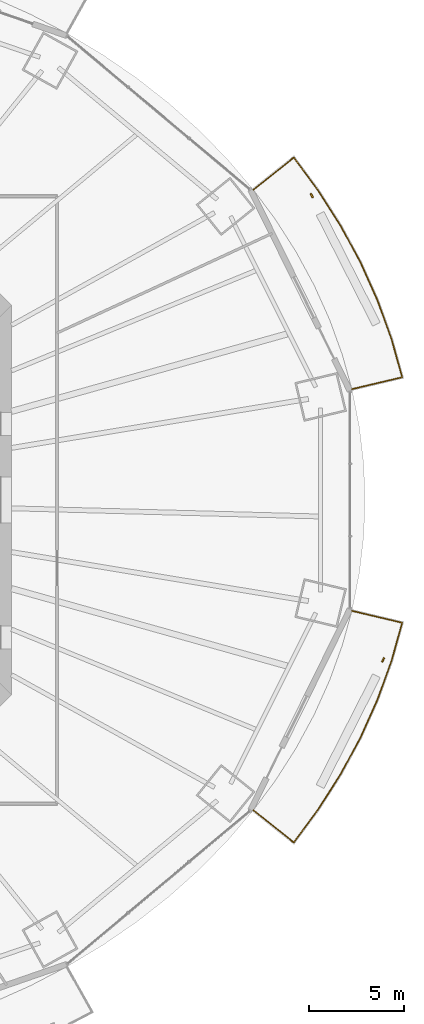
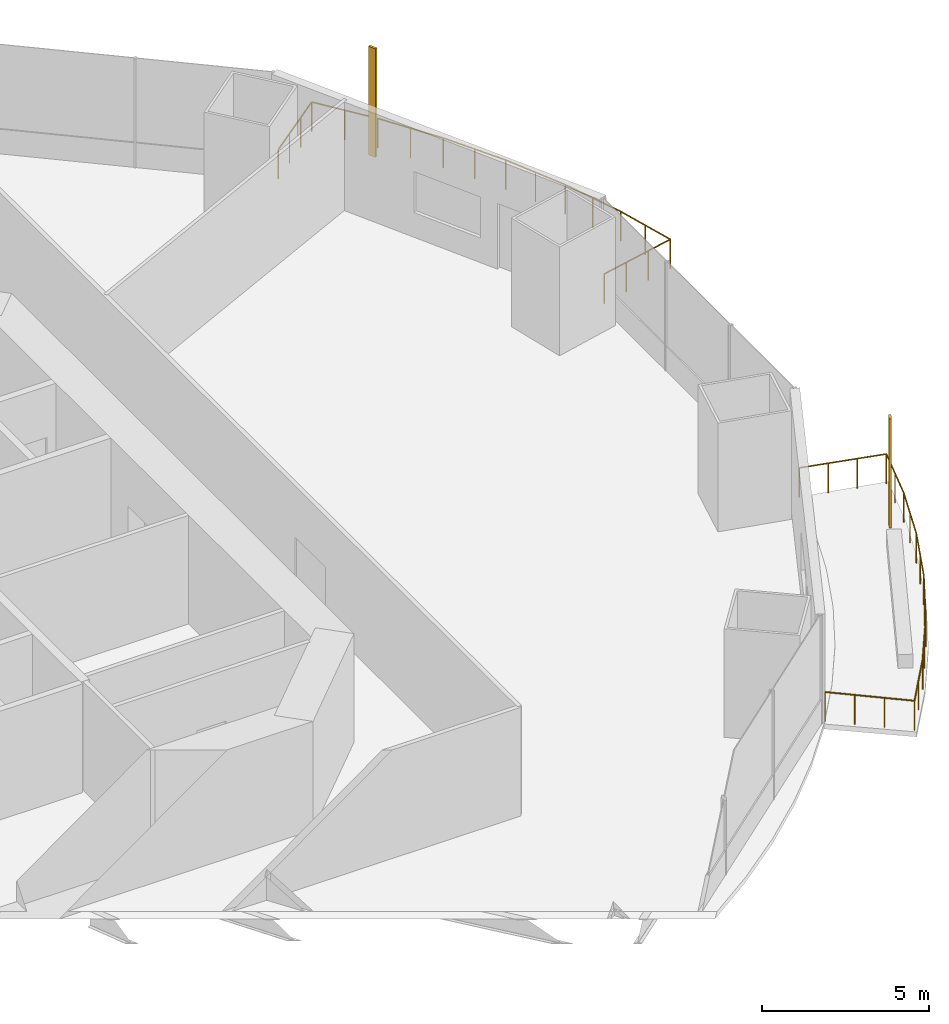
# One storey, part 21 of 22: 2 railings, 2 shading devices.
"""IFC4 building model written with IfcOpenShell, lengths in metres."""

from ifc_helpers import new_model, si_unit, direction, frame, origin, origin_2d, place, context, subcontext, project, spatial, rectangle, circle, extrude, material, material_profile, profile_set, type_object, element, save


model = new_model("IFC4")

# Units and contexts
model_context = context("Model", 3, precision=1e-05, world=origin(), true_north=direction((0.0, 1.0)))
body_context = subcontext(model_context, "Body", "Model", "MODEL_VIEW")
ifc_project = project(units=[si_unit("LENGTHUNIT", "METRE"), si_unit("AREAUNIT", "SQUARE_METRE"), si_unit("VOLUMEUNIT", "CUBIC_METRE"), si_unit("PLANEANGLEUNIT", "RADIAN"), si_unit("MASSUNIT", "GRAM", prefix="KILO")], contexts=[model_context])

# Site, building, storey
site_placement = place(None, origin())
site = spatial("IfcSite", under=ifc_project, at=site_placement, CompositionType="ELEMENT")
building_placement = place(site_placement, origin())
building = spatial("IfcBuilding", under=site, at=building_placement, Name="Marenthal Gate Tower", CompositionType="ELEMENT")
storey_placement = place(building_placement, frame((0.0, 0.0, 91.10009765625)))
storey = spatial("IfcBuildingStorey", under=building, at=storey_placement, Name="L18", CompositionType="ELEMENT", Elevation=91.10009765625)

# Railings
ifc_material_1 = material(Name="Stainless steel", Category="steel")
railing_type = type_object("IfcRailingType", Name="Balcony guard 1100", PredefinedType="GUARDRAIL", material=ifc_material_1)
railing_1_placement = place(storey_placement, frame((29.34326171875, 16.347900390625, 0.0)))
element("IfcRailing", 1, at=railing_1_placement, inside=storey, type_object=railing_type, Name="Balcony guard L18 bay 1", PredefinedType="GUARDRAIL", context=body_context, shape_type="SweptSolid", body=[
    extrude(circle(Radius=0.02392578125, at=origin_2d()), frame((0.0, 0.0, 1.076171875), z_axis=(0.782218085053, 0.62283082954, -0.014718192514), x_axis=(-0.622898300926, 0.782302822892, 0.0)), (0.0, 0.0, 1.0), 2.720458984375),
    extrude(circle(Radius=0.02392578125, at=origin_2d()), frame((2.1279296875, 1.6943359375, 1.0361328125), z_axis=(0.594617358606, -0.804008828835, 0.0), x_axis=(0.804008828835, 0.594617358606, 0.0)), (0.0, 0.0, 1.0), 2.153564453125),
    extrude(circle(Radius=0.02392578125, at=origin_2d()), frame((3.408447265625, -0.037109375, 1.0361328125), z_axis=(0.537495639062, -0.843266528442, 0.0), x_axis=(0.843266528442, 0.537495639062, 0.0)), (0.0, 0.0, 1.0), 2.215576171875),
    extrude(circle(Radius=0.02392578125, at=origin_2d()), frame((4.599365234375, -1.905517578125, 1.0361328125), z_axis=(0.475449699906, -0.879742907251, 0.0), x_axis=(0.879742907251, 0.475449699906, 0.0)), (0.0, 0.0, 1.0), 2.19921875),
    extrude(circle(Radius=0.02392578125, at=origin_2d()), frame((5.64501953125, -3.84033203125, 1.0361328125), z_axis=(0.409495490191, -0.912312141492, 0.0), x_axis=(0.912312141492, 0.409495490191, 0.0)), (0.0, 0.0, 1.0), 2.1845703125),
    extrude(circle(Radius=0.02392578125, at=origin_2d()), frame((6.53955078125, -5.833251953125, 1.0361328125), z_axis=(0.340172038454, -0.940363219322, 0.0), x_axis=(0.940363219322, 0.340172038454, 0.0)), (0.0, 0.0, 1.0), 2.171630859375),
    extrude(circle(Radius=0.02392578125, at=origin_2d()), frame((7.2783203125, -7.87548828125, 1.0361328125), z_axis=(0.269294922849, -0.963057757628, 0.0), x_axis=(0.963057757628, 0.269294922849, 0.0)), (0.0, 0.0, 1.0), 2.08154296875),
    extrude(circle(Radius=0.02392578125, at=origin_2d()), frame((7.8388671875, -9.880126953125, 1.0361328125), z_axis=(-0.972921871805, -0.230665056323, 0.014719482193), x_axis=(0.230690048693, -0.973027287096, 0.0)), (0.0, 0.0, 1.0), 2.72021484375),
    extrude(circle(Radius=0.02099609375, at=origin_2d()), origin(), (0.0, 0.0, 1.0), 1.052001953125),
    extrude(circle(Radius=0.02099609375, at=origin_2d()), frame((0.709228515625, 0.564697265625, -0.013427734375)), (0.0, 0.0, 1.0), 1.052001953125),
    extrude(circle(Radius=0.02099609375, at=origin_2d()), frame((1.418701171875, 1.129638671875, -0.026611328125)), (0.0, 0.0, 1.0), 1.052001953125),
    extrude(circle(Radius=0.02099609375, at=origin_2d()), frame((2.1279296875, 1.6943359375, -0.0400390625)), (0.0, 0.0, 1.0), 1.052001953125),
    extrude(circle(Radius=0.02099609375, at=origin_2d()), frame((2.76806640625, 0.82861328125, -0.0400390625)), (0.0, 0.0, 1.0), 1.052001953125),
    extrude(circle(Radius=0.02099609375, at=origin_2d()), frame((3.408447265625, -0.037109375, -0.0400390625)), (0.0, 0.0, 1.0), 1.052001953125),
    extrude(circle(Radius=0.02099609375, at=origin_2d()), frame((4.00390625, -0.97119140625, -0.0400390625)), (0.0, 0.0, 1.0), 1.052001953125),
    extrude(circle(Radius=0.02099609375, at=origin_2d()), frame((4.599365234375, -1.905517578125, -0.0400390625)), (0.0, 0.0, 1.0), 1.052001953125),
    extrude(circle(Radius=0.02099609375, at=origin_2d()), frame((5.1220703125, -2.873046875, -0.0400390625)), (0.0, 0.0, 1.0), 1.052001953125),
    extrude(circle(Radius=0.02099609375, at=origin_2d()), frame((5.64501953125, -3.84033203125, -0.0400390625)), (0.0, 0.0, 1.0), 1.052001953125),
    extrude(circle(Radius=0.02099609375, at=origin_2d()), frame((6.09228515625, -4.8369140625, -0.0400390625)), (0.0, 0.0, 1.0), 1.052001953125),
    extrude(circle(Radius=0.02099609375, at=origin_2d()), frame((6.53955078125, -5.833251953125, -0.0400390625)), (0.0, 0.0, 1.0), 1.052001953125),
    extrude(circle(Radius=0.02099609375, at=origin_2d()), frame((6.908935546875, -6.8544921875, -0.0400390625)), (0.0, 0.0, 1.0), 1.052001953125),
    extrude(circle(Radius=0.02099609375, at=origin_2d()), frame((7.2783203125, -7.87548828125, -0.0400390625)), (0.0, 0.0, 1.0), 1.052001953125),
    extrude(circle(Radius=0.02099609375, at=origin_2d()), frame((7.55859375, -8.8779296875, -0.0400390625)), (0.0, 0.0, 1.0), 1.052001953125),
    extrude(circle(Radius=0.02099609375, at=origin_2d()), frame((7.8388671875, -9.880126953125, -0.0400390625)), (0.0, 0.0, 1.0), 1.052001953125),
    extrude(circle(Radius=0.02099609375, at=origin_2d()), frame((6.956787109375, -10.08935546875, -0.026611328125)), (0.0, 0.0, 1.0), 1.052001953125),
    extrude(circle(Radius=0.02099609375, at=origin_2d()), frame((6.074462890625, -10.29833984375, -0.013427734375)), (0.0, 0.0, 1.0), 1.052001953125),
    extrude(circle(Radius=0.02099609375, at=origin_2d()), frame((5.1923828125, -10.507568359375, 0.0)), (0.0, 0.0, 1.0), 1.052001953125),
])
railing_2_placement = place(storey_placement, frame((34.53564453125, -5.84033203125, 0.0)))
element("IfcRailing", 2, at=railing_2_placement, inside=storey, type_object=railing_type, Name="Balcony guard L18 bay 15", PredefinedType="GUARDRAIL", context=body_context, shape_type="SweptSolid", body=[
    extrude(circle(Radius=0.02392578125, at=origin_2d()), frame((0.0, 0.0, 1.076171875), z_axis=(0.972921871805, -0.230665056323, -0.014719482193), x_axis=(0.230690048693, 0.973027287096, 0.0)), (0.0, 0.0, 1.0), 2.72021484375),
    extrude(circle(Radius=0.02392578125, at=origin_2d()), frame((2.646484375, -0.62744140625, 1.0361328125), z_axis=(-0.269294922849, -0.963057757628, 0.0), x_axis=(0.963057757628, -0.269294922849, 0.0)), (0.0, 0.0, 1.0), 2.08154296875),
    extrude(circle(Radius=0.02392578125, at=origin_2d()), frame((2.0859375, -2.632080078125, 1.0361328125), z_axis=(-0.340172038454, -0.940363219322, 0.0), x_axis=(0.940363219322, -0.340172038454, 0.0)), (0.0, 0.0, 1.0), 2.171630859375),
    extrude(circle(Radius=0.02392578125, at=origin_2d()), frame((1.34716796875, -4.67431640625, 1.0361328125), z_axis=(-0.409495490191, -0.912312141492, 0.0), x_axis=(0.912312141492, -0.409495490191, 0.0)), (0.0, 0.0, 1.0), 2.1845703125),
    extrude(circle(Radius=0.02392578125, at=origin_2d()), frame((0.45263671875, -6.667236328125, 1.0361328125), z_axis=(-0.475449699906, -0.879742907251, 0.0), x_axis=(0.879742907251, -0.475449699906, 0.0)), (0.0, 0.0, 1.0), 2.19921875),
    extrude(circle(Radius=0.02392578125, at=origin_2d()), frame((-0.593017578125, -8.60205078125, 1.0361328125), z_axis=(-0.537495639062, -0.843266528442, 0.0), x_axis=(0.843266528442, -0.537495639062, 0.0)), (0.0, 0.0, 1.0), 2.215576171875),
    extrude(circle(Radius=0.02392578125, at=origin_2d()), frame((-1.783935546875, -10.470458984375, 1.0361328125), z_axis=(-0.594617358606, -0.804008828835, 0.0), x_axis=(0.804008828835, -0.594617358606, 0.0)), (0.0, 0.0, 1.0), 2.153564453125),
    extrude(circle(Radius=0.02392578125, at=origin_2d()), frame((-3.064453125, -12.201904296875, 1.0361328125), z_axis=(-0.782218085053, 0.62283082954, 0.014718192514), x_axis=(-0.622898300926, -0.782302822892, 0.0)), (0.0, 0.0, 1.0), 2.720458984375),
    extrude(circle(Radius=0.02099609375, at=origin_2d()), origin(), (0.0, 0.0, 1.0), 1.052001953125),
    extrude(circle(Radius=0.02099609375, at=origin_2d()), frame((0.882080078125, -0.209228515625, -0.013427734375)), (0.0, 0.0, 1.0), 1.052001953125),
    extrude(circle(Radius=0.02099609375, at=origin_2d()), frame((1.764404296875, -0.418212890625, -0.026611328125)), (0.0, 0.0, 1.0), 1.052001953125),
    extrude(circle(Radius=0.02099609375, at=origin_2d()), frame((2.646484375, -0.62744140625, -0.0400390625)), (0.0, 0.0, 1.0), 1.052001953125),
    extrude(circle(Radius=0.02099609375, at=origin_2d()), frame((2.3662109375, -1.6298828125, -0.0400390625)), (0.0, 0.0, 1.0), 1.052001953125),
    extrude(circle(Radius=0.02099609375, at=origin_2d()), frame((2.0859375, -2.632080078125, -0.0400390625)), (0.0, 0.0, 1.0), 1.052001953125),
    extrude(circle(Radius=0.02099609375, at=origin_2d()), frame((1.716552734375, -3.6533203125, -0.0400390625)), (0.0, 0.0, 1.0), 1.052001953125),
    extrude(circle(Radius=0.02099609375, at=origin_2d()), frame((1.34716796875, -4.67431640625, -0.0400390625)), (0.0, 0.0, 1.0), 1.052001953125),
    extrude(circle(Radius=0.02099609375, at=origin_2d()), frame((0.89990234375, -5.6708984375, -0.0400390625)), (0.0, 0.0, 1.0), 1.052001953125),
    extrude(circle(Radius=0.02099609375, at=origin_2d()), frame((0.45263671875, -6.667236328125, -0.0400390625)), (0.0, 0.0, 1.0), 1.052001953125),
    extrude(circle(Radius=0.02099609375, at=origin_2d()), frame((-0.0703125, -7.634765625, -0.0400390625)), (0.0, 0.0, 1.0), 1.052001953125),
    extrude(circle(Radius=0.02099609375, at=origin_2d()), frame((-0.593017578125, -8.60205078125, -0.0400390625)), (0.0, 0.0, 1.0), 1.052001953125),
    extrude(circle(Radius=0.02099609375, at=origin_2d()), frame((-1.1884765625, -9.5361328125, -0.0400390625)), (0.0, 0.0, 1.0), 1.052001953125),
    extrude(circle(Radius=0.02099609375, at=origin_2d()), frame((-1.783935546875, -10.470458984375, -0.0400390625)), (0.0, 0.0, 1.0), 1.052001953125),
    extrude(circle(Radius=0.02099609375, at=origin_2d()), frame((-2.42431640625, -11.336181640625, -0.0400390625)), (0.0, 0.0, 1.0), 1.052001953125),
    extrude(circle(Radius=0.02099609375, at=origin_2d()), frame((-3.064453125, -12.201904296875, -0.0400390625)), (0.0, 0.0, 1.0), 1.052001953125),
    extrude(circle(Radius=0.02099609375, at=origin_2d()), frame((-3.773681640625, -11.63720703125, -0.026611328125)), (0.0, 0.0, 1.0), 1.052001953125),
    extrude(circle(Radius=0.02099609375, at=origin_2d()), frame((-4.483154296875, -11.072265625, -0.013427734375)), (0.0, 0.0, 1.0), 1.052001953125),
    extrude(circle(Radius=0.02099609375, at=origin_2d()), frame((-5.1923828125, -10.507568359375, 0.0)), (0.0, 0.0, 1.0), 1.052001953125),
])

# Shading devices
ifc_material_2 = material(Name="Terracotta", Category="masonry")
ifc_material_profile = material_profile(ifc_material_2, rectangle(XDim=0.25, YDim=0.080078125, at=origin_2d()), Name="Terracotta baguette 250x80")
ifc_profile_set = profile_set([ifc_material_profile], Name="Terracotta")
shading_device_type = type_object("IfcShadingDeviceType", Name="Terracotta BAGUETTE SCREEN 250x80", PredefinedType="USERDEFINED", material=ifc_profile_set)
for number, where, z_axis, x_axis, name in (
    (3, (32.4189453125, 16.041015625, -0.0400390625), (0.0, 0.0, 1.0), (-0.442860405886, 0.896590575959, 0.0), "Terracotta BAGUETTE L18 bay 1R"),
    (4, (36.182373046875, -8.421630859375, -0.0400390625), (0.0, 0.0, 1.0), (0.442860405886, 0.896590575959, 0.0), "Terracotta BAGUETTE L18 bay 15R"),
):
    element("IfcShadingDevice", number, at=place(storey_placement, frame(where, z_axis=z_axis, x_axis=x_axis)), inside=storey, type_object=shading_device_type, Name=name, ObjectType="BAGUETTE SCREEN", PredefinedType="USERDEFINED", context=body_context, shape_type="SweptSolid", body=[
        extrude(rectangle(XDim=0.25, YDim=0.080078125, at=origin_2d()), origin(), (0.0, 0.0, 1.0), 3.969970703125),
    ])

save(model, "model.ifc")
